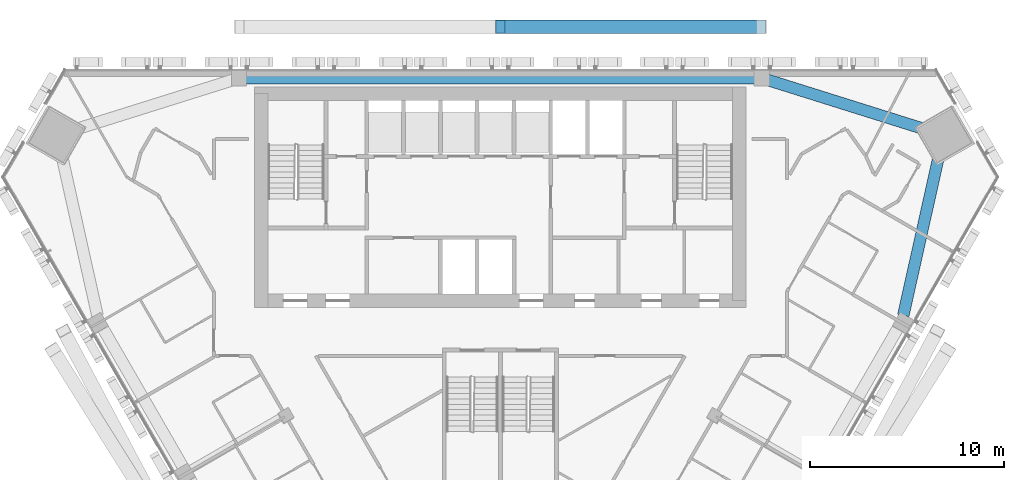
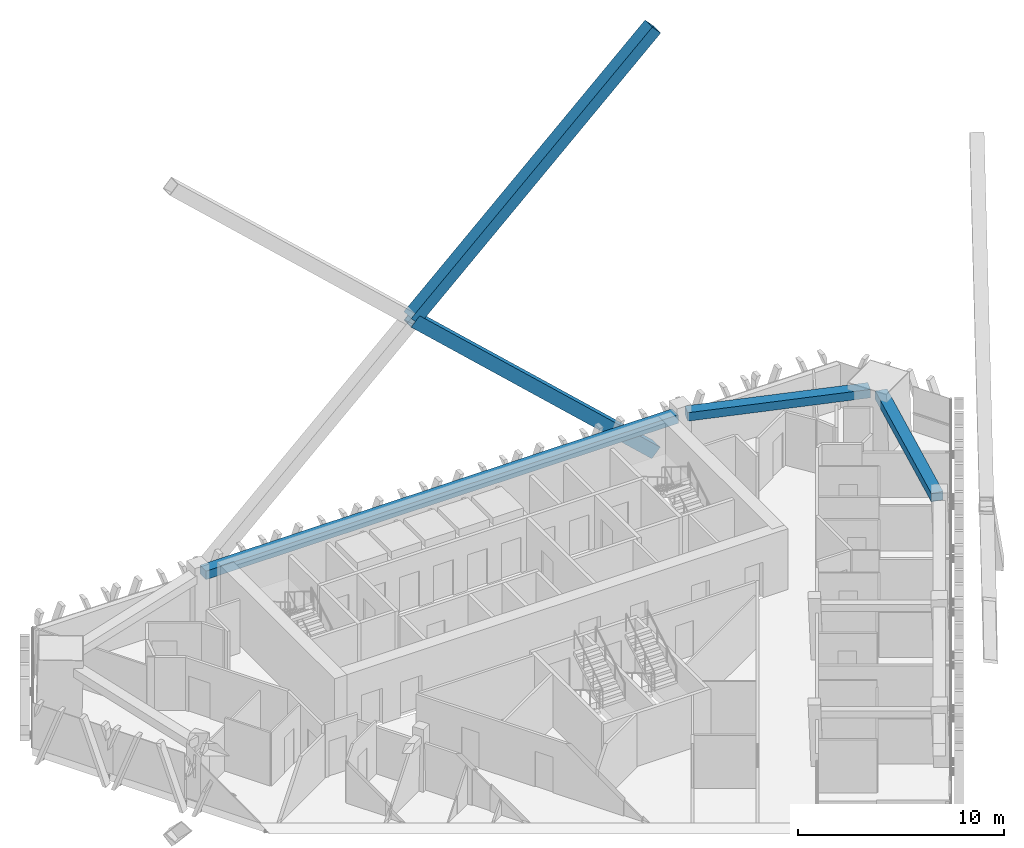
# One storey, part 7 of 17: 3 beams, 2 members.
"""IFC4 building model written with IfcOpenShell, lengths in metres."""

import ifcopenshell
import ifcopenshell.guid

model = None  # the IFC model being written
_history = None  # IfcOwnerHistory: only IFC2X3 demands one
_inside = {}  # id of a spatial element -> (the spatial element, [elements in it])
_under = {}  # id of a project, library or spatial element -> (it, [spatial elements below it])
_declared = {}  # id of a project -> (the project, [libraries it declares])
_typed = {}  # id of a type object -> (the type object, [elements of that type])
_made_of = {}  # id of a material, layer set ... -> (it, [elements and type objects made of it])


def new_model(schema):
    """Start an empty IFC model of exactly this schema.

    Asked for "IFC4X3", IfcOpenShell would pick the latest addendum, in which some entities
    have other attributes; the version numbers below select the first issue.
    IFC2X3 requires an IfcOwnerHistory on every rooted entity: one is made here for all.
    """
    global model, _history
    if schema == "IFC4X3":
        model = ifcopenshell.file(schema_version=(4, 3, 0, 0))
    else:
        model = ifcopenshell.file(schema=schema)
    _inside.clear()
    _under.clear()
    _declared.clear()
    _typed.clear()
    _made_of.clear()
    _history = None
    if model.schema == "IFC2X3":
        org = make("IfcOrganization", Name="unknown")
        user = make(
            "IfcPersonAndOrganization",
            ThePerson=make("IfcPerson", FamilyName="unknown"),
            TheOrganization=org,
        )
        app = make(
            "IfcApplication",
            ApplicationDeveloper=org,
            Version="unknown",
            ApplicationFullName="unknown",
            ApplicationIdentifier="unknown",
        )
        _history = make(
            "IfcOwnerHistory",
            OwningUser=user,
            OwningApplication=app,
            ChangeAction="ADDED",
            CreationDate=0,
        )
    return model


def make(cls, **values):
    """One entity of the class cls with the attributes given. An attribute that is None is left unset."""
    return model.create_entity(
        cls, **{name: value for name, value in values.items() if value is not None}
    )


def rooted(cls, **values):
    """An entity with a GlobalId (a new one), such as an element, a storey or a relation."""
    return make(cls, GlobalId=ifcopenshell.guid.new(), OwnerHistory=_history, **values)


def si_unit(unit_type, name, prefix=None):
    """IfcSIUnit, for example si_unit("LENGTHUNIT", "METRE", prefix="MILLI")."""
    return make("IfcSIUnit", UnitType=unit_type, Prefix=prefix, Name=name)


def assignment(units):
    """IfcUnitAssignment: the units of a project."""
    return None if units is None else make("IfcUnitAssignment", Units=units)


def point(xyz):
    """IfcCartesianPoint."""
    return None if xyz is None else make("IfcCartesianPoint", Coordinates=xyz)


def direction(xyz):
    """IfcDirection."""
    return None if xyz is None else make("IfcDirection", DirectionRatios=xyz)


def frame(location, z_axis=None, x_axis=None):
    """IfcAxis2Placement3D, a coordinate frame: its origin and axes. An axis left out is left unset."""
    return make(
        "IfcAxis2Placement3D",
        Location=point(location),
        Axis=direction(z_axis),
        RefDirection=direction(x_axis),
    )


def frame_2d(location, x_axis=None):
    """IfcAxis2Placement2D, a coordinate frame in the plane: its origin and x axis."""
    return make(
        "IfcAxis2Placement2D", Location=point(location), RefDirection=direction(x_axis)
    )


def origin():
    """The frame at (0, 0, 0) with its axes left unset."""
    return frame((0.0, 0.0, 0.0))


def origin_2d():
    """The frame at (0, 0) in the plane with its x axis left unset."""
    return frame_2d((0.0, 0.0))


def place(relative_to, where):
    """IfcLocalPlacement: puts the frame where relative to a parent placement (None: the world)."""
    return make(
        "IfcLocalPlacement", PlacementRelTo=relative_to, RelativePlacement=where
    )


def context(
    kind, dimensions, precision=None, world=None, true_north=None, identifier=None
):
    """IfcGeometricRepresentationContext, for example the 3D "Model" context."""
    return make(
        "IfcGeometricRepresentationContext",
        ContextIdentifier=identifier,
        ContextType=kind,
        CoordinateSpaceDimension=dimensions,
        Precision=precision,
        WorldCoordinateSystem=world,
        TrueNorth=true_north,
    )


def subcontext(parent, identifier, kind, view, scale=None):
    """IfcGeometricRepresentationSubContext, for example "Body" below "Model"."""
    return make(
        "IfcGeometricRepresentationSubContext",
        ContextIdentifier=identifier,
        ContextType=kind,
        ParentContext=parent,
        TargetScale=scale,
        TargetView=view,
    )


def project(units=None, contexts=None):
    """IfcProject with its units and contexts."""
    return rooted(
        "IfcProject",
        Name="project",
        RepresentationContexts=contexts,
        UnitsInContext=assignment(units),
    )


def spatial(cls, under=None, at=None, **own):
    """A site, building, storey or space (cls), placed at a placement, below another one or the project."""
    s = rooted(cls, ObjectPlacement=at, **own)
    if under is not None:
        _under.setdefault(under.id(), (under, []))[1].append(s)
    return s


def profile(cls, at=None, kind="AREA", **sizes):
    """A parametric profile (cls). Its sizes go by their IFC names, for example OverallWidth=200.0."""
    return make(cls, ProfileType=kind, Position=at, **sizes)


def rectangle(**sizes):
    """IfcRectangleProfileDef."""
    return profile("IfcRectangleProfileDef", **sizes)


def hollow_rectangle(**sizes):
    """IfcRectangleHollowProfileDef."""
    return profile("IfcRectangleHollowProfileDef", **sizes)


def extrude(swept, where, along, depth):
    """IfcExtrudedAreaSolid: the profile swept, set in the frame where, extruded along a direction by depth."""
    return make(
        "IfcExtrudedAreaSolid",
        SweptArea=swept,
        Position=where,
        ExtrudedDirection=direction(along),
        Depth=depth,
    )


def shape(context_of_items, identifier, shape_type, items):
    """IfcShapeRepresentation: the items that make up one representation, for example the "Body"."""
    return make(
        "IfcShapeRepresentation",
        ContextOfItems=context_of_items,
        RepresentationIdentifier=identifier,
        RepresentationType=shape_type,
        Items=items,
    )


def material(Name=None, Category=None):
    """IfcMaterial."""
    return make("IfcMaterial", Name=Name, Category=Category)


def material_profile(
    of_material, cross_section, Name=None, Category=None, Priority=None
):
    """IfcMaterialProfile: a cross section and its material."""
    return make(
        "IfcMaterialProfile",
        Name=Name,
        Material=of_material,
        Profile=cross_section,
        Priority=Priority,
        Category=Category,
    )


def profile_set(profiles, Name=None, composite=None):
    """IfcMaterialProfileSet."""
    return make(
        "IfcMaterialProfileSet",
        Name=Name,
        MaterialProfiles=profiles,
        CompositeProfile=composite,
    )


def made_of(thing, what):
    """Note that an element or type object is made of a material, layer set ...; save() writes the relation."""
    if what is not None:
        _made_of.setdefault(what.id(), (what, []))[1].append(thing)
    return thing


def type_object(cls, material=None, **own):
    """A type object (cls), such as IfcWallType, which elements share."""
    return made_of(rooted(cls, **own), material)


def element(
    cls,
    number,
    at=None,
    inside=None,
    cuts=None,
    type_object=None,
    material=None,
    context=None,
    identifier="Body",
    shape_type=None,
    held_by="IfcProductDefinitionShape",
    body=None,
    shapes=None,
    **own,
):
    """One element of the class cls, such as IfcWall. Its Tag is "e" and its number.

    at: its placement. inside: the storey or other place that contains it. cuts: it is an
    opening in that element (IfcRelVoidsElement). A single representation is given by context,
    identifier, shape_type and body (its items); several are given by shapes. held_by: the class
    of the entity that holds the representations. save() writes the other relations.
    """
    e = rooted(cls, Tag="e%d" % number, ObjectPlacement=at, **own)
    if body is not None:
        shapes = [shape(context, identifier, shape_type, body)]
    if shapes is not None:
        e.Representation = make(held_by, Representations=shapes)
    if inside is not None:
        _inside.setdefault(inside.id(), (inside, []))[1].append(e)
    if cuts is not None:
        rooted(
            "IfcRelVoidsElement", RelatingBuildingElement=cuts, RelatedOpeningElement=e
        )
    if type_object is not None:
        _typed.setdefault(type_object.id(), (type_object, []))[1].append(e)
    return made_of(e, material)


def aggregate(whole, parts):
    """IfcRelAggregates: a whole, such as a stair, and the parts it consists of."""
    return rooted("IfcRelAggregates", RelatingObject=whole, RelatedObjects=parts)


def save(model, path):
    """Write the relations noted so far, then the file.

    IfcRelAggregates (storeys below a building ...), IfcRelContainedInSpatialStructure (elements
    in a storey), IfcRelDefinesByType, IfcRelAssociatesMaterial and IfcRelDeclares: one each for
    every whole, place, type object, material and project.
    """
    for whole, parts in _under.values():
        aggregate(whole, parts)
    for where, things in _inside.values():
        rooted(
            "IfcRelContainedInSpatialStructure",
            RelatedElements=things,
            RelatingStructure=where,
        )
    for kind, things in _typed.values():
        rooted("IfcRelDefinesByType", RelatedObjects=things, RelatingType=kind)
    for what, things in _made_of.values():
        rooted("IfcRelAssociatesMaterial", RelatedObjects=things, RelatingMaterial=what)
    for by, libraries in _declared.values():
        rooted("IfcRelDeclares", RelatingContext=by, RelatedDefinitions=libraries)
    model.write(path)


model = new_model("IFC4")

# Units and contexts
model_context = context("Model", 3, precision=1e-05, world=origin(), true_north=direction((0.0, 1.0)))
body_context = subcontext(model_context, "Body", "Model", "MODEL_VIEW")
ifc_project = project(units=[si_unit("LENGTHUNIT", "METRE"), si_unit("AREAUNIT", "SQUARE_METRE"), si_unit("VOLUMEUNIT", "CUBIC_METRE"), si_unit("PLANEANGLEUNIT", "RADIAN"), si_unit("MASSUNIT", "GRAM", prefix="KILO")], contexts=[model_context])

# Site, building, storey
site_placement = place(None, origin())
site = spatial("IfcSite", under=ifc_project, at=site_placement, CompositionType="ELEMENT")
building_placement = place(site_placement, origin())
building = spatial("IfcBuilding", under=site, at=building_placement, Name="Altiplano Prism Tower", CompositionType="ELEMENT")
storey_placement = place(building_placement, frame((0.0, 0.0, 194.39990234375)))
storey = spatial("IfcBuildingStorey", under=building, at=storey_placement, Name="L50", CompositionType="ELEMENT", Elevation=194.39990234375)

# Beams
ifc_material_1 = material(Name="Concrete C60/75", Category="concrete")
ifc_material_profile_1 = material_profile(ifc_material_1, rectangle(XDim=0.60009765625, YDim=0.5, at=origin_2d()), Name="Edge beam 600x500")
ifc_profile_set_1 = profile_set([ifc_material_profile_1], Name="Concrete C60/75")
beam_type = type_object("IfcBeamType", Name="Edge beam 600x500", PredefinedType="SPANDREL", material=ifc_profile_set_1)
for number, where, z_axis, x_axis, name in (
    (1, (105.8125, 92.289306640625, 2.900146484375), (0.217729261229, 0.976009205287, 0.0), (-0.976009205287, 0.217729261229, 0.0), "Edge beam P24-M2 L51"),
    (2, (107.4609375, 101.73779296875, 2.900146484375), (-0.9541176125, 0.299432098342, 0.0), (-0.299432098342, -0.9541176125, 0.0), "Edge beam M2-P01 L51"),
):
    element("IfcBeam", number, at=place(storey_placement, frame(where, z_axis=z_axis, x_axis=x_axis)), inside=storey, type_object=beam_type, Name=name, PredefinedType="SPANDREL", context=body_context, shape_type="SweptSolid", body=[
        extrude(rectangle(XDim=0.60009765625, YDim=0.5, at=origin_2d()), origin(), (0.0, 0.0, 1.0), 9.0927734375),
    ])
beam_placement = place(storey_placement, frame((98.219970703125, 104.550048828125, 2.900146484375), z_axis=(-1.0, 0.0, 0.0), x_axis=(0.0, -1.0, 0.0)))
element("IfcBeam", 3, at=beam_placement, inside=storey, type_object=beam_type, Name="Edge beam P01-P04 L51", PredefinedType="SPANDREL", context=body_context, shape_type="SweptSolid", body=[
    extrude(rectangle(XDim=0.60009765625, YDim=0.5, at=origin_2d()), origin(), (0.0, 0.0, 1.0), 26.43994140625),
])

# Members
ifc_material_2 = material(Name="Steel S355", Category="steel")
ifc_material_profile_2 = material_profile(ifc_material_2, hollow_rectangle(XDim=0.699951171875, YDim=0.699951171875, WallThickness=0.034912109375, at=origin_2d()), Name="Mega brace Box 700x700x35")
ifc_profile_set_2 = profile_set([ifc_material_profile_2], Name="Steel S355")
member_type = type_object("IfcMemberType", Name="Mega brace Box 700x700x35", PredefinedType="BRACE", material=ifc_profile_set_2)
member_1_placement = place(storey_placement, frame((98.474365234375, 107.199951171875, -0.776123046875), z_axis=(-0.733083423808, 0.0, 0.680138731244), x_axis=(0.0, -1.0, 0.0)))
element("IfcMember", 4, at=member_1_placement, inside=storey, type_object=member_type, Name="Mega brace 5.0.1", PredefinedType="BRACE", context=body_context, shape_type="SweptSolid", body=[
    extrude(hollow_rectangle(XDim=0.699951171875, YDim=0.699951171875, WallThickness=0.034912109375, at=origin_2d()), origin(), (0.0, 0.0, 1.0), 18.38037109375),
])
member_2_placement = place(storey_placement, frame((85.0, 107.199951171875, 11.72509765625), z_axis=(0.733086178246, 0.0, 0.680135762377), x_axis=(0.0, 1.0, 0.0)))
element("IfcMember", 5, at=member_2_placement, inside=storey, type_object=member_type, Name="Mega brace 5.0.4", PredefinedType="BRACE", context=body_context, shape_type="SweptSolid", body=[
    extrude(hollow_rectangle(XDim=0.699951171875, YDim=0.699951171875, WallThickness=0.034912109375, at=origin_2d()), origin(), (0.0, 0.0, 1.0), 18.415283203125),
])

save(model, "model.ifc")
